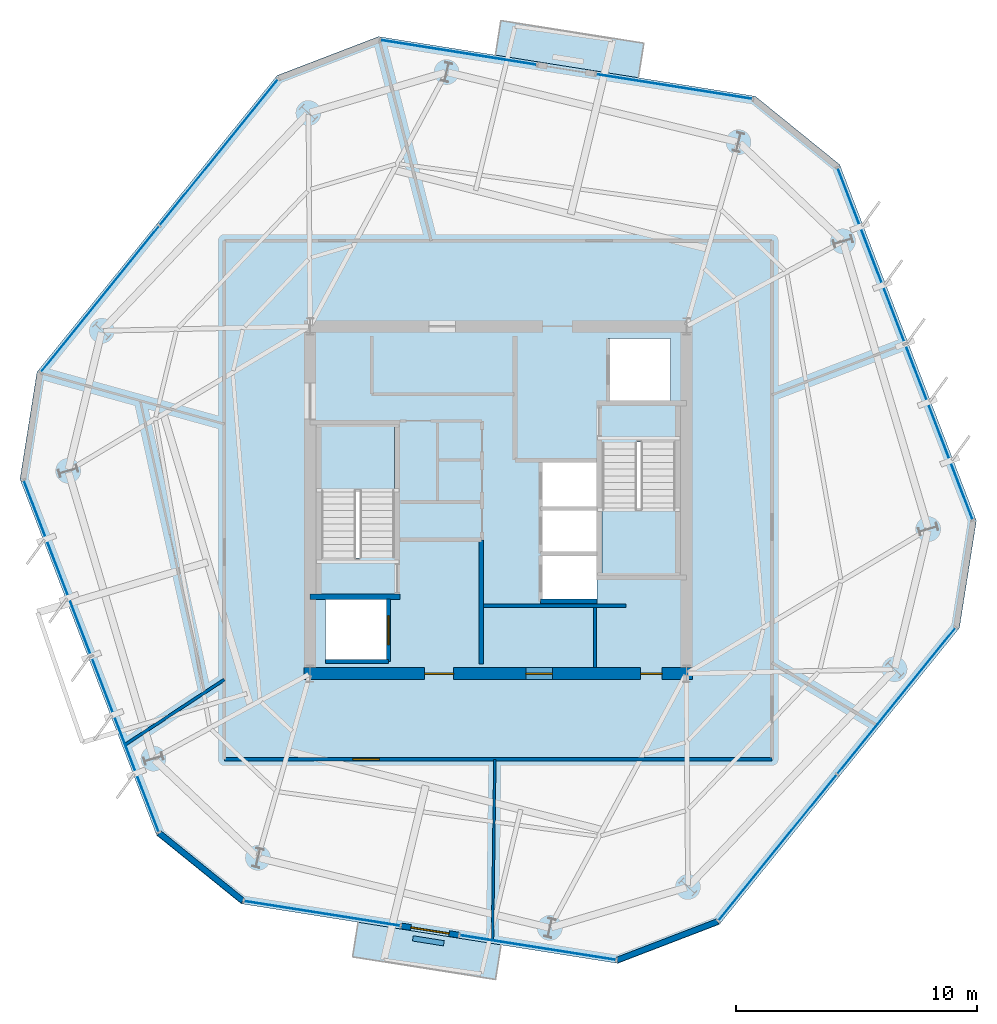
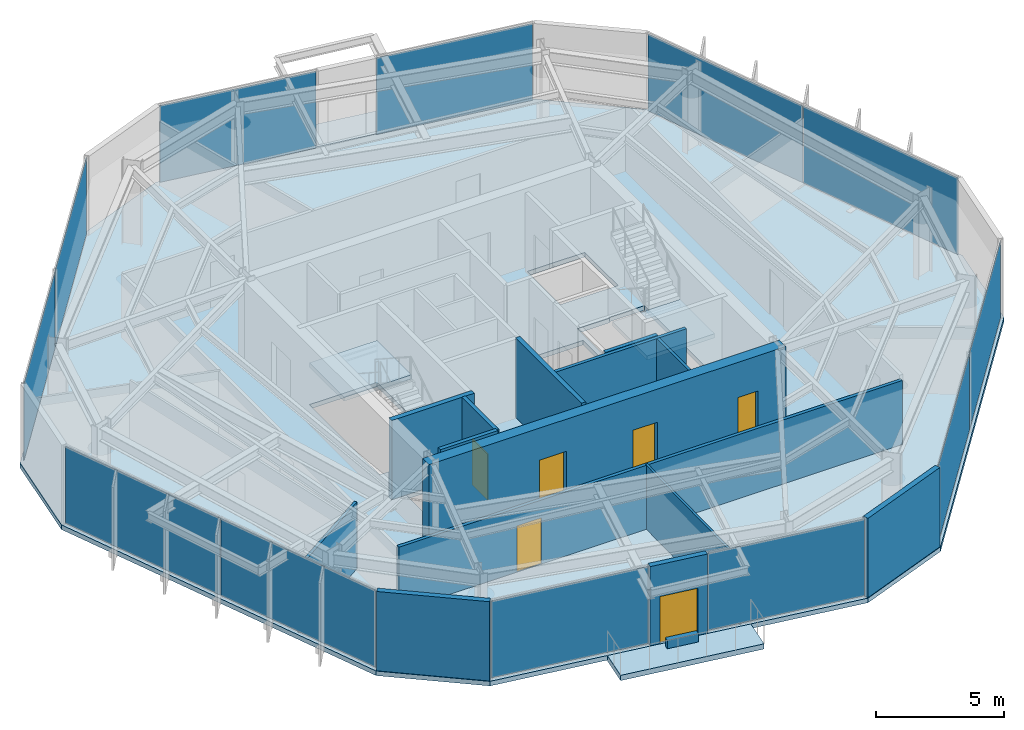
# One storey, part 6 of 11: 15 walls, 12 plates, 6 doors, 5 slabs, 6 openings, 10 elements without a shape of their own.
"""IFC4 building model written with IfcOpenShell, lengths in metres."""

from ifc_helpers import new_model, si_unit, direction, frame, frame_2d, origin, origin_2d, place, context, subcontext, project, spatial, polyline, rectangle, outline, extrude, material, layer, layer_set, type_object, element, fill, aggregate, save


model = new_model("IFC4")

# Units and contexts
model_context = context("Model", 3, precision=1e-05, world=origin(), true_north=direction((0.0, 1.0)))
body_context = subcontext(model_context, "Body", "Model", "MODEL_VIEW")
ifc_project = project(units=[si_unit("LENGTHUNIT", "METRE"), si_unit("AREAUNIT", "SQUARE_METRE"), si_unit("VOLUMEUNIT", "CUBIC_METRE"), si_unit("PLANEANGLEUNIT", "RADIAN"), si_unit("MASSUNIT", "GRAM", prefix="KILO")], contexts=[model_context])

# Site, building, storey
site_placement = place(None, origin())
site = spatial("IfcSite", under=ifc_project, at=site_placement, CompositionType="ELEMENT")
building_placement = place(site_placement, origin())
building = spatial("IfcBuilding", under=site, at=building_placement, Name="Kranzbogen Civic Tower", CompositionType="ELEMENT")
storey_placement = place(building_placement, frame((0.0, 0.0, 228.800048828125)))
storey = spatial("IfcBuildingStorey", under=building, at=storey_placement, Name="L55", CompositionType="ELEMENT", Elevation=228.800048828125)

# Slab
ifc_material_1 = material(Name="Concrete C40/50", Category="concrete")
ifc_layer_1 = layer(ifc_material_1, 0.219970703125, Name="Concrete C40/50")
ifc_layer_set_1 = layer_set([ifc_layer_1], Name="Concrete C40/50")
slab_type_1 = type_object("IfcSlabType", Name="Composite Upper Tower Floor Slab 220 mm", PredefinedType="FLOOR", material=ifc_layer_set_1)
slab_1_placement = place(storey_placement, frame((0.0, 0.0, -0.219970703125)))
element("IfcSlab", 1, at=slab_1_placement, inside=storey, type_object=slab_type_1, Name="L55 tower floor slab", PredefinedType="FLOOR", context=body_context, shape_type="SweptSolid", body=[
    extrude(outline(polyline([(35.658935546875, 41.739013671875), (20.034912109375, 44.212890625), (15.833984375, 42.60107421875), (5.8779296875, 30.306884765625), (5.174072265625, 25.862060546875), (10.843017578125, 11.093017578125), (14.341064453125, 8.260986328125), (29.965087890625, 5.787109375), (34.166015625, 7.39892578125), (44.1220703125, 19.693115234375), (44.825927734375, 24.137939453125), (39.156982421875, 38.906982421875), (35.658935546875, 41.739013671875)]), holes=[polyline([(17.85009765625, 20.89990234375), (20.449951171875, 20.89990234375), (20.449951171875, 18.300048828125), (17.85009765625, 18.300048828125), (17.85009765625, 20.89990234375)]), polyline([(29.10009765625, 22.699951171875), (29.10009765625, 20.800048828125), (26.75, 20.800048828125), (26.75, 22.699951171875), (29.10009765625, 22.699951171875)]), polyline([(29.10009765625, 24.64990234375), (29.10009765625, 22.77490234375), (26.75, 22.77490234375), (26.75, 24.64990234375), (26.75, 24.675048828125), (26.75, 26.550048828125), (29.10009765625, 26.550048828125), (29.10009765625, 24.675048828125), (29.10009765625, 24.64990234375)]), polyline([(29.300048828125, 27.340087890625), (30.75, 27.340087890625), (30.75, 27.39990234375), (32.35009765625, 27.39990234375), (32.35009765625, 21.89990234375), (29.300048828125, 21.89990234375), (29.300048828125, 27.340087890625)]), polyline([(20.699951171875, 22.659912109375), (19.25, 22.659912109375), (19.25, 22.60009765625), (17.64990234375, 22.60009765625), (17.64990234375, 28.10009765625), (20.699951171875, 28.10009765625), (20.699951171875, 22.659912109375)]), polyline([(32.14990234375, 31.699951171875), (32.14990234375, 29.10009765625), (29.550048828125, 29.10009765625), (29.550048828125, 31.699951171875), (32.14990234375, 31.699951171875)])]), origin(), (0.0, 0.0, 1.0), 0.219970703125),
])

# Curtain wall, plate
ifc_material_2 = material(Name="Pale Anodised Aluminium", Category="aluminium")
ifc_layer_2 = layer(ifc_material_2, 0.219970703125, Name="Pale Anodised Aluminium")
ifc_layer_set_2 = layer_set([ifc_layer_2], Name="Pale Anodised Aluminium")
curtain_wall_type = type_object("IfcCurtainWallType", Name="Zone 3 Stick Curtain Wall System CW-04", PredefinedType="USERDEFINED", material=ifc_layer_set_2)
curtain_wall_1_placement = place(storey_placement, origin())
curtain_wall_1 = element("IfcCurtainWall", 2, at=curtain_wall_1_placement, inside=storey, type_object=curtain_wall_type, Name="L55 curtain wall CW-L55-F1-S1", ObjectType="STICK CURTAIN WALL", PredefinedType="USERDEFINED")
ifc_material_3 = material(Name="Low-E Triple Glazing Glass", Category="glass")
ifc_layer_3 = layer(ifc_material_3, 0.030029296875, Name="Low-E Triple Glazing Glass")
ifc_layer_set_3 = layer_set([ifc_layer_3], Name="Low-E Triple Glazing Glass")
plate_type = type_object("IfcPlateType", Name="Insulated Low-E Glazing Panel 30 mm", PredefinedType="CURTAIN_PANEL", material=ifc_layer_set_3)
plate_1_placement = place(storey_placement, frame((32.298095703125, 42.14111328125, 0.06005859375), z_axis=(0.0, 0.0, 1.0), x_axis=(-0.987709289801, 0.156302139592, 0.0)))
plate_1 = element("IfcPlate", 3, at=plate_1_placement, type_object=plate_type, Name="CW-04 panel 1.1", PredefinedType="CURTAIN_PANEL", context=body_context, shape_type="SweptSolid", body=[
    extrude(rectangle(XDim=6.53369140625, YDim=0.028076171875, at=origin_2d()), origin(), (0.0, 0.0, 1.0), 3.659912109375),
])
aggregate(curtain_wall_1, [plate_1])

curtain_wall_2_placement = place(storey_placement, origin())
curtain_wall_2 = element("IfcCurtainWall", 4, at=curtain_wall_2_placement, inside=storey, type_object=curtain_wall_type, Name="L55 curtain wall CW-L55-F1-S2", ObjectType="STICK CURTAIN WALL", PredefinedType="USERDEFINED")
plate_2_placement = place(storey_placement, frame((23.35595703125, 43.556884765625, 0.06005859375), z_axis=(0.0, 0.0, 1.0), x_axis=(-0.987709289801, 0.156302139592, 0.0)))
plate_2 = element("IfcPlate", 5, at=plate_2_placement, type_object=plate_type, Name="CW-04 panel 1.1", PredefinedType="CURTAIN_PANEL", context=body_context, shape_type="SweptSolid", body=[
    extrude(rectangle(XDim=6.53369140625, YDim=0.028076171875, at=origin_2d()), origin(), (0.0, 0.0, 1.0), 3.659912109375),
])
aggregate(curtain_wall_2, [plate_2])

# Curtain wall, plates
curtain_wall_3_placement = place(storey_placement, origin())
curtain_wall_3 = element("IfcCurtainWall", 6, at=curtain_wall_3_placement, inside=storey, type_object=curtain_wall_type, Name="L55 curtain wall CW-L55-F2", ObjectType="STICK CURTAIN WALL", PredefinedType="USERDEFINED")
plate_3_placement = place(storey_placement, frame((13.41796875, 39.41357421875, 0.06005859375), z_axis=(0.0, 0.0, 1.0), x_axis=(-0.629357543601, -0.777115874444, 0.0)))
plate_3 = element("IfcPlate", 7, at=plate_3_placement, type_object=plate_type, Name="CW-04 panel 1.1", PredefinedType="CURTAIN_PANEL", context=body_context, shape_type="SweptSolid", body=[
    extrude(rectangle(XDim=7.76416015625, YDim=0.028076171875, at=origin_2d()), origin(), (0.0, 0.0, 1.0), 3.659912109375),
])
plate_4_placement = place(storey_placement, frame((8.493896484375, 33.33349609375, 0.06005859375), z_axis=(0.0, 0.0, 1.0), x_axis=(-0.629357543601, -0.777115874444, 0.0)))
plate_4 = element("IfcPlate", 8, at=plate_4_placement, type_object=plate_type, Name="CW-04 panel 2.1", PredefinedType="CURTAIN_PANEL", context=body_context, shape_type="SweptSolid", body=[
    extrude(rectangle(XDim=7.76416015625, YDim=0.028076171875, at=origin_2d()), origin(), (0.0, 0.0, 1.0), 3.659912109375),
])
aggregate(curtain_wall_3, [plate_3, plate_4])

curtain_wall_4_placement = place(storey_placement, origin())
curtain_wall_4 = element("IfcCurtainWall", 9, at=curtain_wall_4_placement, inside=storey, type_object=curtain_wall_type, Name="L55 curtain wall CW-L55-F3", ObjectType="STICK CURTAIN WALL", PredefinedType="USERDEFINED")
plate_5_placement = place(storey_placement, frame((6.7265625, 22.17578125, 0.06005859375), z_axis=(0.0, 0.0, 1.0), x_axis=(0.3583476378, -0.933588223192, 0.0)))
plate_5 = element("IfcPlate", 10, at=plate_5_placement, type_object=plate_type, Name="CW-04 panel 1.1", PredefinedType="CURTAIN_PANEL", context=body_context, shape_type="SweptSolid", body=[
    extrude(rectangle(XDim=7.76416015625, YDim=0.028076171875, at=origin_2d()), origin(), (0.0, 0.0, 1.0), 3.659912109375),
])
plate_6_placement = place(storey_placement, frame((9.5302734375, 14.871337890625, 0.06005859375), z_axis=(0.0, 0.0, 1.0), x_axis=(0.3583476378, -0.933588223192, 0.0)))
plate_6 = element("IfcPlate", 11, at=plate_6_placement, type_object=plate_type, Name="CW-04 panel 2.1", PredefinedType="CURTAIN_PANEL", context=body_context, shape_type="SweptSolid", body=[
    extrude(rectangle(XDim=7.76416015625, YDim=0.028076171875, at=origin_2d()), origin(), (0.0, 0.0, 1.0), 3.659912109375),
])
aggregate(curtain_wall_4, [plate_5, plate_6])

# Curtain wall, plate
curtain_wall_5_placement = place(storey_placement, origin())
curtain_wall_5 = element("IfcCurtainWall", 12, at=curtain_wall_5_placement, inside=storey, type_object=curtain_wall_type, Name="L55 curtain wall CW-L55-F4-S1", ObjectType="STICK CURTAIN WALL", PredefinedType="USERDEFINED")
plate_7_placement = place(storey_placement, frame((17.701904296875, 7.85888671875, 0.06005859375), z_axis=(0.0, 0.0, 1.0), x_axis=(0.987709289801, -0.156302139592, 0.0)))
plate_7 = element("IfcPlate", 13, at=plate_7_placement, type_object=plate_type, Name="CW-04 panel 1.1", PredefinedType="CURTAIN_PANEL", context=body_context, shape_type="SweptSolid", body=[
    extrude(rectangle(XDim=6.53369140625, YDim=0.028076171875, at=origin_2d()), origin(), (0.0, 0.0, 1.0), 3.659912109375),
])
aggregate(curtain_wall_5, [plate_7])

curtain_wall_6_placement = place(storey_placement, origin())
curtain_wall_6 = element("IfcCurtainWall", 14, at=curtain_wall_6_placement, inside=storey, type_object=curtain_wall_type, Name="L55 curtain wall CW-L55-F4-S2", ObjectType="STICK CURTAIN WALL", PredefinedType="USERDEFINED")
plate_8_placement = place(storey_placement, frame((26.64404296875, 6.443115234375, 0.06005859375), z_axis=(0.0, 0.0, 1.0), x_axis=(0.987709289801, -0.156302139592, 0.0)))
plate_8 = element("IfcPlate", 15, at=plate_8_placement, type_object=plate_type, Name="CW-04 panel 1.1", PredefinedType="CURTAIN_PANEL", context=body_context, shape_type="SweptSolid", body=[
    extrude(rectangle(XDim=6.53369140625, YDim=0.028076171875, at=origin_2d()), origin(), (0.0, 0.0, 1.0), 3.659912109375),
])
aggregate(curtain_wall_6, [plate_8])

# Curtain wall, plates
curtain_wall_7_placement = place(storey_placement, origin())
curtain_wall_7 = element("IfcCurtainWall", 16, at=curtain_wall_7_placement, inside=storey, type_object=curtain_wall_type, Name="L55 curtain wall CW-L55-F5", ObjectType="STICK CURTAIN WALL", PredefinedType="USERDEFINED")
plate_9_placement = place(storey_placement, frame((36.58203125, 10.58642578125, 0.06005859375), z_axis=(0.0, 0.0, 1.0), x_axis=(0.629357543601, 0.777115874444, 0.0)))
plate_9 = element("IfcPlate", 17, at=plate_9_placement, type_object=plate_type, Name="CW-04 panel 1.1", PredefinedType="CURTAIN_PANEL", context=body_context, shape_type="SweptSolid", body=[
    extrude(rectangle(XDim=7.76416015625, YDim=0.028076171875, at=origin_2d()), origin(), (0.0, 0.0, 1.0), 3.659912109375),
])
plate_10_placement = place(storey_placement, frame((41.506103515625, 16.66650390625, 0.06005859375), z_axis=(0.0, 0.0, 1.0), x_axis=(0.629357543601, 0.777115874444, 0.0)))
plate_10 = element("IfcPlate", 18, at=plate_10_placement, type_object=plate_type, Name="CW-04 panel 2.1", PredefinedType="CURTAIN_PANEL", context=body_context, shape_type="SweptSolid", body=[
    extrude(rectangle(XDim=7.76416015625, YDim=0.028076171875, at=origin_2d()), origin(), (0.0, 0.0, 1.0), 3.659912109375),
])
aggregate(curtain_wall_7, [plate_9, plate_10])

curtain_wall_8_placement = place(storey_placement, origin())
curtain_wall_8 = element("IfcCurtainWall", 19, at=curtain_wall_8_placement, inside=storey, type_object=curtain_wall_type, Name="L55 curtain wall CW-L55-F6", ObjectType="STICK CURTAIN WALL", PredefinedType="USERDEFINED")
plate_11_placement = place(storey_placement, frame((43.2734375, 27.82421875, 0.06005859375), z_axis=(0.0, 0.0, 1.0), x_axis=(-0.3583476378, 0.933588223192, 0.0)))
plate_11 = element("IfcPlate", 20, at=plate_11_placement, type_object=plate_type, Name="CW-04 panel 1.1", PredefinedType="CURTAIN_PANEL", context=body_context, shape_type="SweptSolid", body=[
    extrude(rectangle(XDim=7.76416015625, YDim=0.028076171875, at=origin_2d()), origin(), (0.0, 0.0, 1.0), 3.659912109375),
])
plate_12_placement = place(storey_placement, frame((40.4697265625, 35.128662109375, 0.06005859375), z_axis=(0.0, 0.0, 1.0), x_axis=(-0.3583476378, 0.933588223192, 0.0)))
plate_12 = element("IfcPlate", 21, at=plate_12_placement, type_object=plate_type, Name="CW-04 panel 2.1", PredefinedType="CURTAIN_PANEL", context=body_context, shape_type="SweptSolid", body=[
    extrude(rectangle(XDim=7.76416015625, YDim=0.028076171875, at=origin_2d()), origin(), (0.0, 0.0, 1.0), 3.659912109375),
])
aggregate(curtain_wall_8, [plate_11, plate_12])

# Stair, slab
ifc_material_4 = material(Name="Precast concrete C40/50", Category="concrete")
stair_type_1 = type_object("IfcStairType", Name="Tower Core Pressurized Dogleg Stair 1450", PredefinedType="HALF_TURN_STAIR", material=ifc_material_4)
stair_1_placement = place(storey_placement, origin())
stair_1 = element("IfcStair", 22, at=stair_1_placement, inside=storey, type_object=stair_type_1, Name="L55 Tower Core Pressurized Stair 1", PredefinedType="HALF_TURN_STAIR")
ifc_layer_4 = layer(ifc_material_4, 0.199951171875, Name="Precast concrete C40/50")
ifc_layer_set_4 = layer_set([ifc_layer_4], Name="Precast concrete C40/50")
slab_type_2 = type_object("IfcSlabType", Name="Precast Concrete Stair Landing Slab 200 mm", PredefinedType="LANDING", material=ifc_layer_set_4)
slab_2_placement = place(storey_placement, frame((0.0, 0.0, 1.800048828125)))
slab_2 = element("IfcSlab", 23, at=slab_2_placement, type_object=slab_type_2, Name="ST-T1 landing 1", PredefinedType="LANDING", context=body_context, shape_type="SweptSolid", body=[
    extrude(outline(polyline([(20.699951171875, 25.39990234375), (20.699951171875, 28.10009765625), (17.64990234375, 28.10009765625), (17.64990234375, 25.39990234375), (20.699951171875, 25.39990234375)])), origin(), (0.0, 0.0, 1.0), 0.199951171875),
])
aggregate(stair_1, [slab_2])

stair_type_2 = type_object("IfcStairType", Name="Tower Core Secondary Dogleg Stair 1450", PredefinedType="HALF_TURN_STAIR", material=ifc_material_4)
stair_2_placement = place(storey_placement, origin())
stair_2 = element("IfcStair", 24, at=stair_2_placement, inside=storey, type_object=stair_type_2, Name="L55 Tower Core Pressurized Stair 2", PredefinedType="HALF_TURN_STAIR")
slab_3_placement = place(storey_placement, frame((0.0, 0.0, 1.800048828125)))
slab_3 = element("IfcSlab", 25, at=slab_3_placement, type_object=slab_type_2, Name="ST-T2 landing 1", PredefinedType="LANDING", context=body_context, shape_type="SweptSolid", body=[
    extrude(outline(polyline([(29.300048828125, 24.60009765625), (29.300048828125, 21.89990234375), (32.35009765625, 21.89990234375), (32.35009765625, 24.60009765625), (29.300048828125, 24.60009765625)])), origin(), (0.0, 0.0, 1.0), 0.199951171875),
])
aggregate(stair_2, [slab_3])

# Slabs
ifc_layer_5 = layer(ifc_material_1, 0.25, Name="Concrete C40/50")
ifc_layer_set_5 = layer_set([ifc_layer_5], Name="Concrete C40/50")
slab_type_3 = type_object("IfcSlabType", Name="Tree Balcony Cantilevered Slab 250 mm", PredefinedType="FLOOR", material=ifc_layer_set_5)
slab_4_placement = place(storey_placement, frame((0.0, 0.0, -0.25)))
element("IfcSlab", 26, at=slab_4_placement, inside=storey, type_object=slab_type_3, Name="L55 cantilevered tree balcony L55-TB1", PredefinedType="FLOOR", context=body_context, shape_type="SweptSolid", body=[
    extrude(outline(polyline([(19.18994140625, 7.492919921875), (25.115966796875, 6.554931640625), (24.888916015625, 5.123046875), (18.962890625, 6.06103515625), (19.18994140625, 7.492919921875)])), origin(), (0.0, 0.0, 1.0), 0.25),
])
slab_5_placement = place(storey_placement, frame((0.0, 0.0, -0.25)))
element("IfcSlab", 27, at=slab_5_placement, inside=storey, type_object=slab_type_3, Name="L55 cantilevered tree balcony L55-TB2", PredefinedType="FLOOR", context=body_context, shape_type="SweptSolid", body=[
    extrude(outline(polyline([(30.81005859375, 42.507080078125), (24.884033203125, 43.445068359375), (25.111083984375, 44.876953125), (31.037109375, 43.93896484375), (30.81005859375, 42.507080078125)])), origin(), (0.0, 0.0, 1.0), 0.25),
])

# Wall
ifc_material_5 = material(Name="Double-Stud Acoustic Gypsum Partition")
ifc_layer_6 = layer(ifc_material_5, 0.14990234375, Name="Double-Stud Acoustic Gypsum Partition")
ifc_layer_set_6 = layer_set([ifc_layer_6], Name="Double-Stud Acoustic Gypsum Partition")
wall_type_1 = type_object("IfcWallType", Name="Acoustic Corridor and Clinical Partition 150 mm", PredefinedType="PARTITIONING", material=ifc_layer_set_6)
wall_1_placement = place(storey_placement, frame((24.39990234375, 20.610107421875, 0.0), z_axis=(0.0, 0.0, 1.0), x_axis=(1.0, 0.0, 0.0)))
element("IfcWall", 28, at=wall_1_placement, inside=storey, type_object=wall_type_1, Name="L55 records zone North wall", PredefinedType="PARTITIONING", context=body_context, shape_type="SweptSolid", body=[
    extrude(rectangle(XDim=5.900146484375, YDim=0.14990234375, at=frame_2d((2.9501953125, 0.0))), origin(), (0.0, 0.0, 1.0), 3.780029296875),
])

# Wall, opening, door
wall_2_placement = place(storey_placement, frame((36.35009765625, 14.25, 0.0), z_axis=(0.0, 0.0, 1.0), x_axis=(-1.0, 0.0, 0.0)))
wall_2 = element("IfcWall", 29, at=wall_2_placement, inside=storey, type_object=wall_type_1, Name="L55 corridor partition 03", PredefinedType="PARTITIONING", context=body_context, shape_type="SweptSolid", body=[
    extrude(rectangle(XDim=22.7001953125, YDim=0.14990234375, at=frame_2d((11.35009765625, 0.0))), origin(), (0.0, 0.0, 1.0), 3.050048828125),
])
opening_1_placement = place(wall_2_placement, frame((16.27197265625, 0.0, 0.0)))
opening_1 = element("IfcOpeningElement", 30, at=opening_1_placement, cuts=wall_2, Name="Opening D-COR60", PredefinedType="OPENING", context=body_context, shape_type="SweptSolid", body=[
    extrude(rectangle(XDim=1.10009765625, YDim=2.199951171875, at=frame_2d((0.550048828125, 1.10009765625))), frame((0.0, 0.0849609375, 0.0), z_axis=(0.0, -1.0, 0.0), x_axis=(1.0, 0.0, 0.0)), (0.0, 0.0, 1.0), 0.169921875),
])
ifc_material_6 = material(Name="Oak Timber and Fire Core", Category="wood")
door_type_1 = type_object("IfcDoorType", Name="Corridor Acoustic Fire Door 1100x2200", OperationType="NOTDEFINED", PredefinedType="DOOR", material=ifc_material_6)
door_1_placement = place(opening_1_placement, origin())
door_1 = element("IfcDoor", 31, at=door_1_placement, inside=storey, type_object=door_type_1, Name="L55 Protocol Dining Room door", OperationType="SINGLE_SWING_RIGHT", OverallHeight=2.199951171875, OverallWidth=1.10009765625, PredefinedType="DOOR", context=body_context, shape_type="SweptSolid", body=[
    extrude(rectangle(XDim=1.10009765625, YDim=2.199951171875, at=frame_2d((0.550048828125, 1.10009765625))), frame((0.0, 0.02490234375, 0.0), z_axis=(0.0, -1.0, 0.0), x_axis=(1.0, 0.0, 0.0)), (0.0, 0.0, 1.0), 0.050048828125),
])
fill(opening_1, door_1)

# Walls
ifc_material_7 = material(Name="Insulated Metal-Stud Gypsum Partition")
ifc_layer_7 = layer(ifc_material_7, 0.125, Name="Insulated Metal-Stud Gypsum Partition")
ifc_layer_set_7 = layer_set([ifc_layer_7], Name="Insulated Metal-Stud Gypsum Partition")
wall_type_2 = type_object("IfcWallType", Name="Acoustic Inter-Room Partition 125 mm", PredefinedType="PARTITIONING", material=ifc_layer_set_7)
wall_3_placement = place(storey_placement, frame((29.010009765625, 18.050048828125, 0.0), z_axis=(0.0, 0.0, 1.0), x_axis=(0.0, 1.0, 0.0)))
element("IfcWall", 32, at=wall_3_placement, inside=storey, type_object=wall_type_2, Name="L55 core auxiliary partition 1", PredefinedType="PARTITIONING", context=body_context, shape_type="SweptSolid", body=[
    extrude(rectangle(XDim=2.5, YDim=0.125, at=frame_2d((1.25, 0.0))), origin(), (0.0, 0.0, 1.0), 3.780029296875),
])
wall_4_placement = place(storey_placement, frame((13.64990234375, 17.555908203125, 0.0), z_axis=(0.0, 0.0, 1.0), x_axis=(-0.836194204711, -0.54843345267, 0.0)))
element("IfcWall", 33, at=wall_4_placement, inside=storey, type_object=wall_type_2, Name="L55 radial room partition 03", PredefinedType="PARTITIONING", context=body_context, shape_type="SweptSolid", body=[
    extrude(rectangle(XDim=4.903076171875, YDim=0.125, at=frame_2d((2.45166015625, 0.0))), origin(), (0.0, 0.0, 1.0), 3.179931640625),
])
ifc_material_8 = material(Name="Architectural Precast Terracotta Concrete C40/50", Category="masonry")
ifc_layer_8 = layer(ifc_material_8, 0.219970703125, Name="Architectural Precast Terracotta Concrete C40/50")
ifc_layer_set_8 = layer_set([ifc_layer_8], Name="Architectural Precast Terracotta Concrete C40/50")
wall_type_3 = type_object("IfcWallType", Name="Architectural Tree Planter Kerb Wall 220 mm", PredefinedType="USERDEFINED", material=ifc_layer_set_8)
wall_5_placement = place(storey_placement, frame((21.462890625, 6.824951171875, 0.0), z_axis=(0.0, 0.0, 1.0), x_axis=(0.98763322112, -0.156782079779, 0.0)))
element("IfcWall", 34, at=wall_5_placement, inside=storey, type_object=wall_type_3, Name="L55 landscaped tree balcony planter L55-TB1", ObjectType="PLANTER_WALL", PredefinedType="USERDEFINED", context=body_context, shape_type="SweptSolid", body=[
    extrude(rectangle(XDim=1.30029296875, YDim=0.219970703125, at=frame_2d((0.650146484375, 0.0))), origin(), (0.0, 0.0, 1.0), 0.39990234375),
])

# Wall, openings, doors
ifc_material_9 = material(Name="Concrete C45/55", Category="concrete")
ifc_layer_9 = layer(ifc_material_9, 0.5, Name="Concrete C45/55")
ifc_layer_set_9 = layer_set([ifc_layer_9], Name="Concrete C45/55")
wall_type_4 = type_object("IfcWallType", Name="Central Core Shear Wall 500 mm", PredefinedType="SHEAR", material=ifc_layer_set_9)
wall_6_placement = place(storey_placement, frame((16.949951171875, 17.800048828125, 0.0), z_axis=(0.0, 0.0, 1.0), x_axis=(1.0, 0.0, 0.0)))
wall_6 = element("IfcWall", 35, at=wall_6_placement, inside=storey, type_object=wall_type_4, Name="L55 central core South shear wall", PredefinedType="SHEAR", context=body_context, shape_type="SweptSolid", body=[
    extrude(rectangle(XDim=16.10009765625, YDim=0.5, at=frame_2d((8.050048828125, 0.0))), origin(), (0.0, 0.0, 1.0), 3.780029296875),
])
opening_2_placement = place(wall_6_placement, frame((5.0, 0.0, 0.0)))
opening_2 = element("IfcOpeningElement", 36, at=opening_2_placement, cuts=wall_6, Name="Opening D-EX120", PredefinedType="OPENING", context=body_context, shape_type="SweptSolid", body=[
    extrude(rectangle(XDim=1.199951171875, YDim=2.25, at=frame_2d((0.60009765625, 1.125))), frame((0.0, 0.260009765625, 0.0), z_axis=(0.0, -1.0, 0.0), x_axis=(1.0, 0.0, 0.0)), (0.0, 0.0, 1.0), 0.52001953125),
])
opening_3_placement = place(wall_6_placement, frame((13.949951171875, 0.0, 0.0)))
opening_3 = element("IfcOpeningElement", 37, at=opening_3_placement, cuts=wall_6, Name="Opening D-WC90", PredefinedType="OPENING", context=body_context, shape_type="SweptSolid", body=[
    extrude(rectangle(XDim=0.89990234375, YDim=2.10009765625, at=frame_2d((0.449951171875, 1.050048828125))), frame((0.0, 0.260009765625, 0.0), z_axis=(0.0, -1.0, 0.0), x_axis=(1.0, 0.0, 0.0)), (0.0, 0.0, 1.0), 0.52001953125),
])
opening_4_placement = place(wall_6_placement, frame((9.199951171875, 0.0, 0.0)))
opening_4 = element("IfcOpeningElement", 38, at=opening_4_placement, cuts=wall_6, Name="Opening D-COR60", PredefinedType="OPENING", context=body_context, shape_type="SweptSolid", body=[
    extrude(rectangle(XDim=1.10009765625, YDim=2.199951171875, at=frame_2d((0.550048828125, 1.10009765625))), frame((0.0, 0.260009765625, 0.0), z_axis=(0.0, -1.0, 0.0), x_axis=(1.0, 0.0, 0.0)), (0.0, 0.0, 1.0), 0.52001953125),
])
door_2_placement = place(opening_4_placement, origin())
door_2 = element("IfcDoor", 39, at=door_2_placement, inside=storey, type_object=door_type_1, Name="L55 REC1 archive room door", OperationType="SINGLE_SWING_RIGHT", OverallHeight=2.199951171875, OverallWidth=1.10009765625, PredefinedType="DOOR", context=body_context, shape_type="SweptSolid", body=[
    extrude(rectangle(XDim=1.10009765625, YDim=2.199951171875, at=frame_2d((0.550048828125, 1.10009765625))), frame((0.0, 0.02490234375, 0.0), z_axis=(0.0, -1.0, 0.0), x_axis=(1.0, 0.0, 0.0)), (0.0, 0.0, 1.0), 0.050048828125),
])
fill(opening_4, door_2)
ifc_material_10 = material(Name="Steel S355", Category="steel")
door_type_2 = type_object("IfcDoorType", Name="Exit Passageway Fire Door 1200x2250", OperationType="NOTDEFINED", PredefinedType="DOOR", material=ifc_material_10)
door_3_placement = place(opening_2_placement, origin())
door_3 = element("IfcDoor", 40, at=door_3_placement, inside=storey, type_object=door_type_2, Name="L55 West firefighting lobby corridor door", OperationType="SINGLE_SWING_LEFT", OverallHeight=2.25, OverallWidth=1.199951171875, PredefinedType="DOOR", context=body_context, shape_type="SweptSolid", body=[
    extrude(rectangle(XDim=1.199951171875, YDim=2.25, at=frame_2d((0.60009765625, 1.125))), frame((0.0, 0.02490234375, 0.0), z_axis=(0.0, -1.0, 0.0), x_axis=(1.0, 0.0, 0.0)), (0.0, 0.0, 1.0), 0.050048828125),
])
fill(opening_2, door_3)
ifc_material_11 = material(Name="Moisture-Resistant Laminate")
door_type_3 = type_object("IfcDoorType", Name="Standard Restroom and Store Door 900x2100", OperationType="NOTDEFINED", PredefinedType="DOOR", material=ifc_material_11)
door_4_placement = place(opening_3_placement, origin())
door_4 = element("IfcDoor", 41, at=door_4_placement, inside=storey, type_object=door_type_3, Name="L55 East electrical riser access door", OperationType="SINGLE_SWING_LEFT", OverallHeight=2.10009765625, OverallWidth=0.89990234375, PredefinedType="DOOR", context=body_context, shape_type="SweptSolid", body=[
    extrude(rectangle(XDim=0.89990234375, YDim=2.10009765625, at=frame_2d((0.449951171875, 1.050048828125))), frame((0.0, 0.02490234375, 0.0), z_axis=(0.0, -1.0, 0.0), x_axis=(1.0, 0.0, 0.0)), (0.0, 0.0, 1.0), 0.050048828125),
])
fill(opening_3, door_4)

# Walls
ifc_layer_10 = layer(ifc_material_9, 0.219970703125, Name="Concrete C45/55")
ifc_layer_set_10 = layer_set([ifc_layer_10], Name="Concrete C45/55")
wall_type_5 = type_object("IfcWallType", Name="Core Internal Stair Structural Wall 220 mm", PredefinedType="SOLIDWALL", material=ifc_layer_set_10)
wall_7_placement = place(storey_placement, frame((17.199951171875, 20.989990234375, 0.0), z_axis=(0.0, 0.0, 1.0), x_axis=(1.0, 0.0, 0.0)))
element("IfcWall", 42, at=wall_7_placement, inside=storey, type_object=wall_type_5, Name="L55 ST-T1 South structural stair wall", PredefinedType="SOLIDWALL", context=body_context, shape_type="SweptSolid", body=[
    extrude(rectangle(XDim=3.719970703125, YDim=0.219970703125, at=frame_2d((1.85986328125, 0.0))), origin(), (0.0, 0.0, 1.0), 3.780029296875),
])
ifc_material_12 = material(Name="Demountable Aluminium and Gypsum Partition", Category="aluminium")
ifc_layer_11 = layer(ifc_material_12, 0.10009765625, Name="Demountable Aluminium and Gypsum Partition")
ifc_layer_set_11 = layer_set([ifc_layer_11], Name="Demountable Aluminium and Gypsum Partition")
wall_type_6 = type_object("IfcWallType", Name="Demountable Office Partition 100 mm", PredefinedType="MOVABLE", material=ifc_layer_set_11)
wall_8_placement = place(storey_placement, frame((24.861083984375, 14.25, 0.0), z_axis=(0.0, 0.0, 1.0), x_axis=(-0.012966880803, -0.999915926467, 0.0)))
element("IfcWall", 43, at=wall_8_placement, inside=storey, type_object=wall_type_6, Name="L55 radial room partition 04", PredefinedType="MOVABLE", context=body_context, shape_type="SweptSolid", body=[
    extrude(rectangle(XDim=7.49365234375, YDim=0.10009765625, at=frame_2d((3.746826171875, 0.0))), origin(), (0.0, 0.0, 1.0), 3.050048828125),
])
ifc_material_13 = material(Name="Gypsum Fireboard and Concrete Block", Category="concrete")
ifc_layer_12 = layer(ifc_material_13, 0.199951171875, Name="Gypsum Fireboard and Concrete Block")
ifc_layer_set_12 = layer_set([ifc_layer_12], Name="Gypsum Fireboard and Concrete Block")
wall_type_7 = type_object("IfcWallType", Name="Fire-Rated Exit Passageway and Stair Wall 200 mm", PredefinedType="PARTITIONING", material=ifc_layer_set_12)
wall_9_placement = place(storey_placement, frame((24.300048828125, 18.199951171875, 0.0), z_axis=(0.0, 0.0, 1.0), x_axis=(0.0, 1.0, 0.0)))
element("IfcWall", 44, at=wall_9_placement, inside=storey, type_object=wall_type_7, Name="L55 West firefighting lobby East wall", PredefinedType="PARTITIONING", context=body_context, shape_type="SweptSolid", body=[
    extrude(rectangle(XDim=5.150146484375, YDim=0.199951171875, at=frame_2d((2.5751953125, 0.0))), origin(), (0.0, 0.0, 1.0), 3.780029296875),
])
ifc_material_14 = material(Name="Gypsum Fireboard Shaftliner")
ifc_layer_13 = layer(ifc_material_14, 0.175048828125, Name="Gypsum Fireboard Shaftliner")
ifc_layer_set_13 = layer_set([ifc_layer_13], Name="Gypsum Fireboard Shaftliner")
wall_type_8 = type_object("IfcWallType", Name="Fire-Rated Lift and Service Shaft Wall 175 mm", PredefinedType="PARTITIONING", material=ifc_layer_set_13)
wall_10_placement = place(storey_placement, frame((26.75, 20.800048828125, 0.0), z_axis=(0.0, 0.0, 1.0), x_axis=(1.0, 0.0, 0.0)))
element("IfcWall", 45, at=wall_10_placement, inside=storey, type_object=wall_type_8, Name="L55 lift HP-01 side wall", PredefinedType="PARTITIONING", context=body_context, shape_type="SweptSolid", body=[
    extrude(rectangle(XDim=2.35009765625, YDim=0.175048828125, at=frame_2d((1.175048828125, 0.0))), origin(), (0.0, 0.0, 1.0), 3.780029296875),
])

# Wall, opening, door
wall_11_placement = place(storey_placement, frame((20.449951171875, 18.300048828125, 0.0), z_axis=(0.0, 0.0, 1.0), x_axis=(0.0, 1.0, 0.0)))
wall_11 = element("IfcWall", 46, at=wall_11_placement, inside=storey, type_object=wall_type_8, Name="L55 lift FF-01 landing wall", PredefinedType="PARTITIONING", context=body_context, shape_type="SweptSolid", body=[
    extrude(rectangle(XDim=2.599853515625, YDim=0.175048828125, at=frame_2d((1.2998046875, 0.0))), origin(), (0.0, 0.0, 1.0), 3.780029296875),
])
opening_5_placement = place(wall_11_placement, frame((0.699951171875, 0.0, 0.0)))
opening_5 = element("IfcOpeningElement", 47, at=opening_5_placement, cuts=wall_11, Name="Opening LD-FF-01", PredefinedType="OPENING", context=body_context, shape_type="SweptSolid", body=[
    extrude(rectangle(XDim=1.199951171875, YDim=2.199951171875, at=frame_2d((0.60009765625, 1.10009765625))), frame((0.0, 0.09765625, 0.0), z_axis=(0.0, -1.0, 0.0), x_axis=(1.0, 0.0, 0.0)), (0.0, 0.0, 1.0), 0.195068359375),
])
door_type_4 = type_object("IfcDoorType", Name="Firefighting and Stretcher Lift Sliding Landing Door 1200x2200", OperationType="DOUBLE_DOOR_SLIDING", PredefinedType="DOOR", material=ifc_material_2)
door_5_placement = place(opening_5_placement, origin())
door_5 = element("IfcDoor", 48, at=door_5_placement, inside=storey, type_object=door_type_4, Name="L55 lift FF-01 sliding landing door", OperationType="DOUBLE_DOOR_SLIDING", OverallHeight=2.199951171875, OverallWidth=1.199951171875, PredefinedType="DOOR", context=body_context, shape_type="SweptSolid", body=[
    extrude(rectangle(XDim=1.199951171875, YDim=2.199951171875, at=frame_2d((0.60009765625, 1.10009765625))), frame((0.0, 0.02490234375, 0.0), z_axis=(0.0, -1.0, 0.0), x_axis=(1.0, 0.0, 0.0)), (0.0, 0.0, 1.0), 0.050048828125),
])
fill(opening_5, door_5)

# Walls
wall_12_placement = place(storey_placement, frame((17.85009765625, 18.300048828125, 0.0), z_axis=(0.0, 0.0, 1.0), x_axis=(1.0, 0.0, 0.0)))
element("IfcWall", 49, at=wall_12_placement, inside=storey, type_object=wall_type_8, Name="L55 lift FF-01 side wall", PredefinedType="PARTITIONING", context=body_context, shape_type="SweptSolid", body=[
    extrude(rectangle(XDim=2.599853515625, YDim=0.175048828125, at=frame_2d((1.2998046875, 0.0))), origin(), (0.0, 0.0, 1.0), 3.780029296875),
])
ifc_layer_14 = layer(ifc_material_2, 0.239990234375, Name="Pale Anodised Aluminium")
ifc_layer_set_14 = layer_set([ifc_layer_14], Name="Pale Anodised Aluminium")
wall_type_9 = type_object("IfcWallType", Name="Insulated Aluminium Facade Portal Wall 240 mm", PredefinedType="STANDARD", material=ifc_layer_set_14)
wall_13_placement = place(storey_placement, frame((10.943115234375, 11.19091796875, 0.0), z_axis=(0.0, 0.0, 1.0), x_axis=(0.777177433654, -0.629281524136, 0.0)))
element("IfcWall", 50, at=wall_13_placement, inside=storey, type_object=wall_type_9, Name="L55 chamfered corner facade spandrel 3", PredefinedType="STANDARD", context=body_context, shape_type="SweptSolid", body=[
    extrude(rectangle(XDim=4.468505859375, YDim=0.239990234375, at=frame_2d((2.234375, 0.0))), origin(), (0.0, 0.0, 1.0), 3.780029296875),
])

# Wall, opening, door
wall_14_placement = place(storey_placement, frame((20.988037109375, 7.339111328125, 0.0), z_axis=(0.0, 0.0, 1.0), x_axis=(0.987632277634, -0.156788023059, 0.0)))
wall_14 = element("IfcWall", 51, at=wall_14_placement, inside=storey, type_object=wall_type_9, Name="L55 exterior entrance portal wall 1", PredefinedType="STANDARD", context=body_context, shape_type="SweptSolid", body=[
    extrude(rectangle(XDim=2.399658203125, YDim=0.239990234375, at=frame_2d((1.19970703125, 0.0))), origin(), (0.0, 0.0, 1.0), 3.780029296875),
])
opening_6_placement = place(wall_14_placement, frame((0.39990234375, 0.0, 0.0)))
opening_6 = element("IfcOpeningElement", 52, at=opening_6_placement, cuts=wall_14, Name="Opening D-TER", PredefinedType="OPENING", context=body_context, shape_type="SweptSolid", body=[
    extrude(rectangle(XDim=1.60009765625, YDim=2.25, at=frame_2d((0.800048828125, 1.125))), frame((0.0, 0.1298828125, 0.0), z_axis=(0.0, -1.0, 0.0), x_axis=(1.0, 0.0, 0.0)), (0.0, 0.0, 1.0), 0.260009765625),
])
ifc_material_15 = material(Name="Anodised Bronze and Triple Glass", Category="glass")
door_type_5 = type_object("IfcDoorType", Name="Glazed Terrace and Balcony Double Door 1600x2250", OperationType="DOUBLE_DOOR_SINGLE_SWING", PredefinedType="DOOR", material=ifc_material_15)
door_6_placement = place(opening_6_placement, frame((1.60009765625, 0.0, 0.0), z_axis=(0.0, 0.0, 1.0), x_axis=(-1.0, 0.0, 0.0)))
door_6 = element("IfcDoor", 53, at=door_6_placement, inside=storey, type_object=door_type_5, Name="L55 tree balcony access door L55-TB1", OperationType="DOUBLE_DOOR_SINGLE_SWING", OverallHeight=2.25, OverallWidth=1.60009765625, PredefinedType="DOOR", context=body_context, shape_type="SweptSolid", body=[
    extrude(rectangle(XDim=1.60009765625, YDim=2.25, at=frame_2d((0.800048828125, 1.125))), frame((0.0, 0.02490234375, 0.0), z_axis=(0.0, -1.0, 0.0), x_axis=(1.0, 0.0, 0.0)), (0.0, 0.0, 1.0), 0.050048828125),
])
fill(opening_6, door_6)

# Wall
wall_15_placement = place(storey_placement, frame((29.929931640625, 5.923095703125, 0.0), z_axis=(0.0, 0.0, 1.0), x_axis=(0.933677607011, 0.358114682982, 0.0)))
element("IfcWall", 54, at=wall_15_placement, inside=storey, type_object=wall_type_9, Name="L55 chamfered corner facade spandrel 4", PredefinedType="STANDARD", context=body_context, shape_type="SweptSolid", body=[
    extrude(rectangle(XDim=4.467529296875, YDim=0.239990234375, at=frame_2d((2.23388671875, 0.0))), origin(), (0.0, 0.0, 1.0), 3.780029296875),
])

save(model, "model.ifc")
